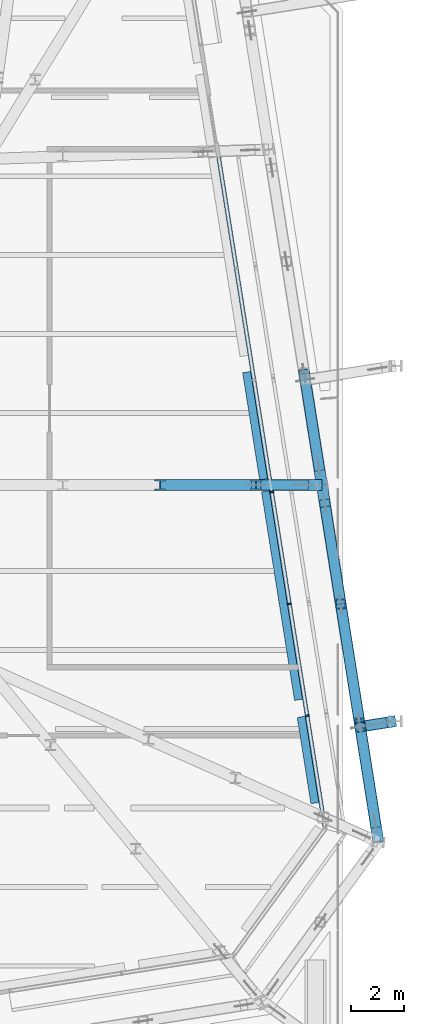
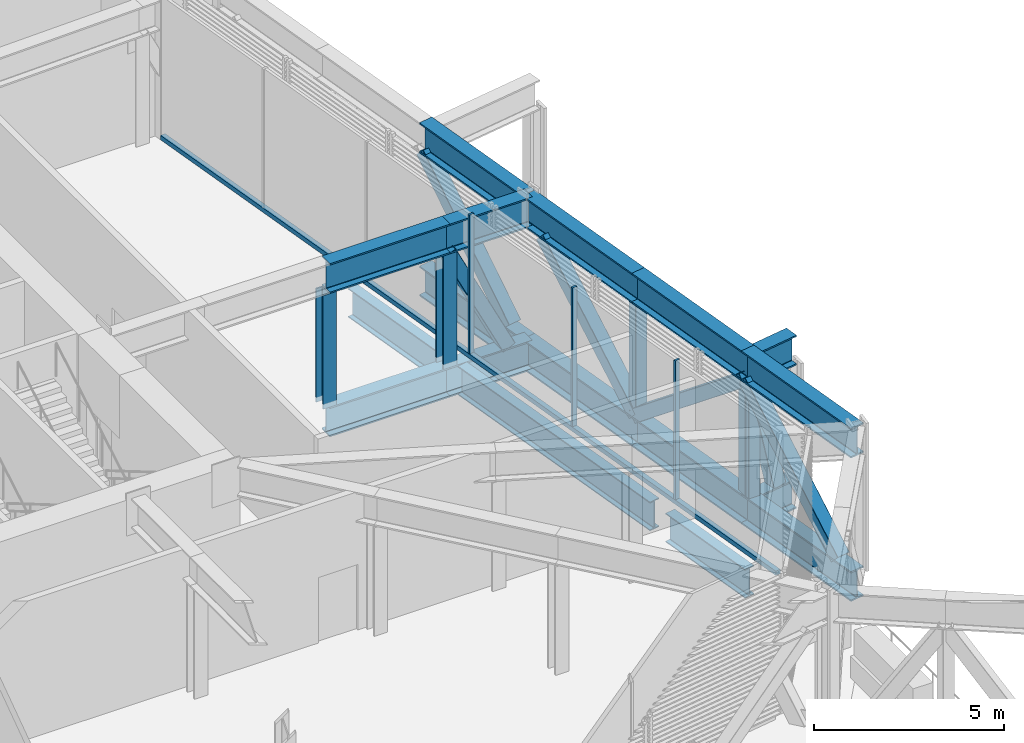
# One storey, part 9 of 32: 17 beams, 15 members, 1 element without a shape of its own.
"""IFC4 building model written with IfcOpenShell, lengths in metres."""

from ifc_helpers import new_model, si_unit, direction, frame, origin, origin_2d, place, context, subcontext, project, spatial, rectangle, hollow_rectangle, i_section, extrude, material, layer, layer_set, material_profile, profile_set, type_object, element, aggregate, save


model = new_model("IFC4")

# Units and contexts
model_context = context("Model", 3, precision=1e-05, world=origin(), true_north=direction((0.0, 1.0)))
body_context = subcontext(model_context, "Body", "Model", "MODEL_VIEW")
ifc_project = project(units=[si_unit("LENGTHUNIT", "METRE"), si_unit("AREAUNIT", "SQUARE_METRE"), si_unit("VOLUMEUNIT", "CUBIC_METRE"), si_unit("PLANEANGLEUNIT", "RADIAN"), si_unit("MASSUNIT", "GRAM", prefix="KILO")], contexts=[model_context])

# Site, building, storey
site_placement = place(None, origin())
site = spatial("IfcSite", under=ifc_project, at=site_placement, CompositionType="ELEMENT")
building_placement = place(site_placement, origin())
building = spatial("IfcBuilding", under=site, at=building_placement, Name="Millrace Tower", CompositionType="ELEMENT")
storey_placement = place(building_placement, frame((0.0, 0.0, 124.89990234375)))
storey = spatial("IfcBuildingStorey", under=building, at=storey_placement, Name="L27", CompositionType="ELEMENT", Elevation=124.89990234375)

# Curtain wall, members
ifc_material_1 = material(Name="Aluminium and glass", Category="aluminium")
ifc_layer = layer(ifc_material_1, 0.14990234375)
ifc_layer_set = layer_set([ifc_layer], Name="Aluminium and glass")
curtain_wall_type = type_object("IfcCurtainWallType", Name="CW-5 truss and plant storey louvred infill", PredefinedType="NOTDEFINED", material=ifc_layer_set)
curtain_wall_placement = place(storey_placement, origin())
curtain_wall = element("IfcCurtainWall", 1, at=curtain_wall_placement, inside=storey, type_object=curtain_wall_type, Name="Curtain wall C-F04 L27", PredefinedType="NOTDEFINED")
ifc_material_2 = material(Name="Aluminium", Category="aluminium")
ifc_material_profile_1 = material_profile(ifc_material_2, rectangle(XDim=0.06494140625, YDim=0.14990234375, at=origin_2d()))
ifc_profile_set_1 = profile_set([ifc_material_profile_1], Name="Aluminium")
member_type_1 = type_object("IfcMemberType", Name="CW-5 truss and plant storey louvred infill mullion", PredefinedType="MULLION", material=ifc_profile_set_1)
member_1_placement = place(storey_placement, frame((26.833984375, -11.49462890625, 0.14013671875), z_axis=(0.0, 0.0, 1.0), x_axis=(-0.15643447328, 0.98768833929, 0.0)))
member_1 = element("IfcMember", 2, at=member_1_placement, type_object=member_type_1, Name="CW5 mullion C-F04.2", PredefinedType="MULLION", context=body_context, shape_type="SweptSolid", body=[
    extrude(rectangle(XDim=0.06494140625, YDim=0.14990234375, at=origin_2d()), origin(), (0.0, 0.0, 1.0), 4.4599609375),
])
member_2_placement = place(storey_placement, frame((26.161376953125, -7.24755859375, 0.14013671875), z_axis=(0.0, 0.0, 1.0), x_axis=(-0.15643447328, 0.98768833929, 0.0)))
member_2 = element("IfcMember", 3, at=member_2_placement, type_object=member_type_1, Name="CW5 mullion C-F04.3", PredefinedType="MULLION", context=body_context, shape_type="SweptSolid", body=[
    extrude(rectangle(XDim=0.06494140625, YDim=0.14990234375, at=origin_2d()), origin(), (0.0, 0.0, 1.0), 4.4599609375),
])
member_3_placement = place(storey_placement, frame((25.48876953125, -3.00048828125, 0.14013671875), z_axis=(0.0, 0.0, 1.0), x_axis=(-0.15643447328, 0.98768833929, 0.0)))
member_3 = element("IfcMember", 4, at=member_3_placement, type_object=member_type_1, Name="CW5 mullion C-F04.4", PredefinedType="MULLION", context=body_context, shape_type="SweptSolid", body=[
    extrude(rectangle(XDim=0.06494140625, YDim=0.14990234375, at=origin_2d()), origin(), (0.0, 0.0, 1.0), 4.4599609375),
])
ifc_material_3 = material(Name="Aluminium", Category="aluminium")
ifc_material_profile_2 = material_profile(ifc_material_3, rectangle(XDim=0.14990234375, YDim=0.139892578125, at=origin_2d()))
ifc_profile_set_2 = profile_set([ifc_material_profile_2], Name="Aluminium")
member_type_2 = type_object("IfcMemberType", Name="CW-5 truss and plant storey louvred infill transom", PredefinedType="USERDEFINED", material=ifc_profile_set_2)
member_4_placement = place(storey_placement, frame((27.49609375, -15.675048828125, 0.070068359375), z_axis=(-0.156430863394, 0.987688911033, 0.0), x_axis=(-0.987688911033, -0.156430863394, 0.0)))
member_4 = element("IfcMember", 5, at=member_4_placement, type_object=member_type_2, Name="CW5 transom C-F04.1", ObjectType="TRANSOM", PredefinedType="USERDEFINED", context=body_context, shape_type="SweptSolid", body=[
    extrude(rectangle(XDim=0.14990234375, YDim=0.139892578125, at=origin_2d()), origin(), (0.0, 0.0, 1.0), 25.699951171875),
])
aggregate(curtain_wall, [member_1, member_2, member_3, member_4])

# Beams
ifc_material_4 = material(Name="Steel ASTM A992 Grade 50", Category="steel")
ifc_material_profile_3 = material_profile(ifc_material_4, i_section(OverallWidth=0.307373046875, OverallDepth=0.927001953125, WebThickness=0.01953125, FlangeThickness=0.031982421875, FilletRadius=0.01904296875, at=origin_2d()))
ifc_profile_set_3 = profile_set([ifc_material_profile_3], Name="Steel ASTM A992 Grade 50")
beam_type_1 = type_object("IfcBeamType", Name="Ring beam short span W36x194", PredefinedType="SPANDREL", material=ifc_profile_set_3)
beam_1_placement = place(storey_placement, frame((25.252197265625, -2.9697265625, -0.62353515625), z_axis=(0.156448554536, -0.987686108935, 0.0), x_axis=(0.987686108935, 0.156448554536, 0.0)))
element("IfcBeam", 6, at=beam_1_placement, inside=storey, type_object=beam_type_1, Name="RNG-C-L27-S1-11-a", PredefinedType="SPANDREL", context=body_context, shape_type="SweptSolid", body=[
    extrude(i_section(OverallWidth=0.307373046875, OverallDepth=0.927001953125, WebThickness=0.01953125, FlangeThickness=0.031982421875, FilletRadius=0.01904296875, at=origin_2d()), origin(), (0.0, 0.0, 1.0), 8.022705078125),
])
beam_2_placement = place(storey_placement, frame((24.535400390625, 1.556884765625, -0.62353515625), z_axis=(0.156415028315, -0.987691418874, 0.0), x_axis=(0.987691418874, 0.156415028315, 0.0)))
element("IfcBeam", 7, at=beam_2_placement, inside=storey, type_object=beam_type_1, Name="RNG-C-L27-S1-10-b", PredefinedType="SPANDREL", context=body_context, shape_type="SweptSolid", body=[
    extrude(i_section(OverallWidth=0.307373046875, OverallDepth=0.927001953125, WebThickness=0.01953125, FlangeThickness=0.031982421875, FilletRadius=0.01904296875, at=origin_2d()), origin(), (0.0, 0.0, 1.0), 4.12841796875),
])
beam_3_placement = place(storey_placement, frame((26.609130859375, -11.537353515625, -0.62353515625), z_axis=(0.156472536365, -0.987682309938, 0.0), x_axis=(0.987682309938, 0.156472536365, 0.0)))
element("IfcBeam", 8, at=beam_3_placement, inside=storey, type_object=beam_type_1, Name="RNG-C-L27-S1-11-b", PredefinedType="SPANDREL", context=body_context, shape_type="SweptSolid", body=[
    extrude(i_section(OverallWidth=0.307373046875, OverallDepth=0.927001953125, WebThickness=0.01953125, FlangeThickness=0.031982421875, FilletRadius=0.01904296875, at=origin_2d()), origin(), (0.0, 0.0, 1.0), 3.318603515625),
])

# Members
ifc_material_5 = material(Name="Steel ASTM A992 Grade 50", Category="steel")
ifc_material_profile_4 = material_profile(ifc_material_5, i_section(OverallWidth=0.406494140625, OverallDepth=0.41650390625, WebThickness=0.030029296875, FlangeThickness=0.048095703125, FilletRadius=0.01513671875, at=origin_2d()))
ifc_profile_set_4 = profile_set([ifc_material_profile_4], Name="Steel ASTM A992 Grade 50")
member_type_3 = type_object("IfcMemberType", Name="Transfer truss Vierendeel moment post W14x257", PredefinedType="POST", material=ifc_profile_set_4)
for number, where, z_axis, x_axis, name in (
    (9, (24.89501953125, -2.7314453125, -0.159912109375), (0.0, 0.0, 1.0), (1.0, 0.0, 0.0), "TRS-L27-C07-V01"),
    (10, (21.2451171875, -2.7314453125, -0.159912109375), (0.0, 0.0, 1.0), (1.0, 0.0, 0.0), "TRS-L27-C07-V02"),
):
    element("IfcMember", number, at=place(storey_placement, frame(where, z_axis=z_axis, x_axis=x_axis)), inside=storey, type_object=member_type_3, Name=name, PredefinedType="POST", context=body_context, shape_type="SweptSolid", body=[
        extrude(i_section(OverallWidth=0.406494140625, OverallDepth=0.41650390625, WebThickness=0.030029296875, FlangeThickness=0.048095703125, FilletRadius=0.01513671875, at=origin_2d()), origin(), (0.0, 0.0, 1.0), 3.642333984375),
    ])

# Beams
ifc_material_6 = material(Name="Steel ASTM A992 Grade 50", Category="steel")
ifc_material_profile_5 = material_profile(ifc_material_6, i_section(OverallWidth=0.421630859375, OverallDepth=0.95751953125, WebThickness=0.02587890625, FlangeThickness=0.046875, FilletRadius=0.024169921875, at=origin_2d()))
ifc_profile_set_5 = profile_set([ifc_material_profile_5], Name="Steel ASTM A992 Grade 50")
beam_type_2 = type_object("IfcBeamType", Name="Transfer truss chord W36x330", PredefinedType="BEAM", material=ifc_profile_set_5)
for number, where, z_axis, x_axis, name in (
    (11, (29.542724609375, -16.291015625, -0.638671875), (-0.156417315446, 0.987691056671, 0.0), (-0.987691056671, -0.156417315446, 0.0), "TRS-L27-R06-B01"),
    (12, (29.542724609375, -16.291015625, 3.96142578125), (-0.156417315446, 0.987691056671, 0.0), (-0.987691056671, -0.156417315446, 0.0), "TRS-L27-R06-T01"),
):
    element("IfcBeam", number, at=place(storey_placement, frame(where, z_axis=z_axis, x_axis=x_axis)), inside=storey, type_object=beam_type_2, Name=name, PredefinedType="BEAM", context=body_context, shape_type="SweptSolid", body=[
        extrude(i_section(OverallWidth=0.421630859375, OverallDepth=0.95751953125, WebThickness=0.02587890625, FlangeThickness=0.046875, FilletRadius=0.024169921875, at=origin_2d()), origin(), (0.0, 0.0, 1.0), 4.576416015625),
    ])
for number, where, z_axis, x_axis, name in (
    (13, (28.826904296875, -11.77099609375, -0.638671875), (-0.156477602811, 0.987681507278, 0.0), (-0.987681507278, -0.156477602811, 0.0), "TRS-L27-R06-B02"),
    (14, (28.826904296875, -11.77099609375, 3.96142578125), (-0.156477602811, 0.987681507278, 0.0), (-0.987681507278, -0.156477602811, 0.0), "TRS-L27-R06-T02"),
    (15, (28.11083984375, -7.251220703125, -0.638671875), (-0.156425557764, 0.987689751328, 0.0), (-0.987689751328, -0.156425557764, 0.0), "TRS-L27-R06-B03"),
    (16, (28.11083984375, -7.251220703125, 3.96142578125), (-0.156425557764, 0.987689751328, 0.0), (-0.987689751328, -0.156425557764, 0.0), "TRS-L27-R06-T03"),
):
    element("IfcBeam", number, at=place(storey_placement, frame(where, z_axis=z_axis, x_axis=x_axis)), inside=storey, type_object=beam_type_2, Name=name, PredefinedType="BEAM", context=body_context, shape_type="SweptSolid", body=[
        extrude(i_section(OverallWidth=0.421630859375, OverallDepth=0.95751953125, WebThickness=0.02587890625, FlangeThickness=0.046875, FilletRadius=0.024169921875, at=origin_2d()), origin(), (0.0, 0.0, 1.0), 4.576171875),
    ])
for number, where, z_axis, x_axis, name in (
    (17, (27.39501953125, -2.7314453125, -0.638671875), (-0.15642030113, 0.987690583834, 0.0), (-0.987690583834, -0.15642030113, 0.0), "TRS-L27-R07-B01"),
    (18, (27.39501953125, -2.7314453125, 3.96142578125), (-0.15642030113, 0.987690583834, 0.0), (-0.987690583834, -0.15642030113, 0.0), "TRS-L27-R07-T01"),
):
    element("IfcBeam", number, at=place(storey_placement, frame(where, z_axis=z_axis, x_axis=x_axis)), inside=storey, type_object=beam_type_2, Name=name, PredefinedType="BEAM", context=body_context, shape_type="SweptSolid", body=[
        extrude(i_section(OverallWidth=0.421630859375, OverallDepth=0.95751953125, WebThickness=0.02587890625, FlangeThickness=0.046875, FilletRadius=0.024169921875, at=origin_2d()), origin(), (0.0, 0.0, 1.0), 4.300048828125),
    ])
for number, where, z_axis, x_axis, name in (
    (19, (27.39501953125, -2.7314453125, -0.638671875), (-1.0, 0.0, 0.0), (0.0, -1.0, 0.0), "TRS-L27-C07-B01"),
    (20, (27.39501953125, -2.7314453125, 3.96142578125), (-1.0, 0.0, 0.0), (0.0, -1.0, 0.0), "TRS-L27-C07-T01"),
):
    element("IfcBeam", number, at=place(storey_placement, frame(where, z_axis=z_axis, x_axis=x_axis)), inside=storey, type_object=beam_type_2, Name=name, PredefinedType="BEAM", context=body_context, shape_type="SweptSolid", body=[
        extrude(i_section(OverallWidth=0.421630859375, OverallDepth=0.95751953125, WebThickness=0.02587890625, FlangeThickness=0.046875, FilletRadius=0.024169921875, at=origin_2d()), origin(), (0.0, 0.0, 1.0), 2.5),
    ])
for number, where, z_axis, x_axis, name in (
    (21, (24.89501953125, -2.7314453125, -0.638671875), (-1.0, 0.0, 0.0), (0.0, -1.0, 0.0), "TRS-L27-C07-B02"),
    (22, (24.89501953125, -2.7314453125, 3.96142578125), (-1.0, 0.0, 0.0), (0.0, -1.0, 0.0), "TRS-L27-C07-T02"),
):
    element("IfcBeam", number, at=place(storey_placement, frame(where, z_axis=z_axis, x_axis=x_axis)), inside=storey, type_object=beam_type_2, Name=name, PredefinedType="BEAM", context=body_context, shape_type="SweptSolid", body=[
        extrude(i_section(OverallWidth=0.421630859375, OverallDepth=0.95751953125, WebThickness=0.02587890625, FlangeThickness=0.046875, FilletRadius=0.024169921875, at=origin_2d()), origin(), (0.0, 0.0, 1.0), 3.64990234375),
    ])
for number, where, z_axis, x_axis, name in (
    (23, (30.199951171875, -11.699951171875, -0.638671875), (-0.987690975644, -0.15641782709, 0.0), (0.15641782709, -0.987690975644, 0.0), "TRS-L27-B-B-X07-B01"),
    (24, (30.199951171875, -11.699951171875, 3.96142578125), (-0.987690975644, -0.15641782709, 0.0), (0.15641782709, -0.987690975644, 0.0), "TRS-L27-B-B-X07-T01"),
):
    element("IfcBeam", number, at=place(storey_placement, frame(where, z_axis=z_axis, x_axis=x_axis)), inside=storey, type_object=beam_type_2, Name=name, PredefinedType="BEAM", context=body_context, shape_type="SweptSolid", body=[
        extrude(i_section(OverallWidth=0.421630859375, OverallDepth=0.95751953125, WebThickness=0.02587890625, FlangeThickness=0.046875, FilletRadius=0.024169921875, at=origin_2d()), origin(), (0.0, 0.0, 1.0), 1.156494140625),
    ])

# Members
ifc_material_7 = material(Name="Steel ASTM A500 Grade C", Category="steel")
ifc_material_profile_6 = material_profile(ifc_material_7, hollow_rectangle(XDim=0.406494140625, YDim=0.406494140625, WallThickness=0.0126953125, InnerFilletRadius=0.00634765625, OuterFilletRadius=0.01904296875, at=origin_2d()))
ifc_profile_set_6 = profile_set([ifc_material_profile_6], Name="Steel ASTM A500 Grade C")
member_type_4 = type_object("IfcMemberType", Name="Transfer truss diagonal HSS16x16x1/2", PredefinedType="BRACE", material=ifc_profile_set_6)
member_5_placement = place(storey_placement, frame((29.43310546875, -15.599609375, -0.159912109375), z_axis=(-0.113967812282, 0.719791877649, 0.684770757725), x_axis=(-0.987695976535, -0.156386245998, 0.0)))
element("IfcMember", 25, at=member_5_placement, inside=storey, type_object=member_type_4, Name="TRS-L27-R06-D01", PredefinedType="BRACE", context=body_context, shape_type="SweptSolid", body=[
    extrude(hollow_rectangle(XDim=0.406494140625, YDim=0.406494140625, WallThickness=0.0126953125, InnerFilletRadius=0.00634765625, OuterFilletRadius=0.01904296875, at=origin_2d()), origin(), (0.0, 0.0, 1.0), 5.319091796875),
])
member_6_placement = place(storey_placement, frame((28.11083984375, -7.251220703125, -0.159912109375), z_axis=(0.12243062994, -0.772778128906, 0.622755734086), x_axis=(0.987681507278, 0.156477602811, 0.0)))
element("IfcMember", 26, at=member_6_placement, inside=storey, type_object=member_type_4, Name="TRS-L27-R06-D02", PredefinedType="BRACE", context=body_context, shape_type="SweptSolid", body=[
    extrude(hollow_rectangle(XDim=0.406494140625, YDim=0.406494140625, WallThickness=0.0126953125, InnerFilletRadius=0.00634765625, OuterFilletRadius=0.01904296875, at=origin_2d()), origin(), (0.0, 0.0, 1.0), 5.8486328125),
])
member_7_placement = place(storey_placement, frame((28.11083984375, -7.251220703125, -0.159912109375), z_axis=(-0.113971577605, 0.719769757725, 0.684793381512), x_axis=(-0.987694436043, -0.156395975046, 0.0)))
element("IfcMember", 27, at=member_7_placement, inside=storey, type_object=member_type_4, Name="TRS-L27-R06-D03", PredefinedType="BRACE", context=body_context, shape_type="SweptSolid", body=[
    extrude(hollow_rectangle(XDim=0.406494140625, YDim=0.406494140625, WallThickness=0.0126953125, InnerFilletRadius=0.00634765625, OuterFilletRadius=0.01904296875, at=origin_2d()), origin(), (0.0, 0.0, 1.0), 5.31884765625),
])
member_8_placement = place(storey_placement, frame((27.28564453125, -2.0400390625, -0.159912109375), z_axis=(-0.109980796619, 0.694304430848, 0.711228220531), x_axis=(-0.987685312069, -0.156453585206, 0.0)))
element("IfcMember", 28, at=member_8_placement, inside=storey, type_object=member_type_4, Name="TRS-L27-R07-D01", PredefinedType="BRACE", context=body_context, shape_type="SweptSolid", body=[
    extrude(hollow_rectangle(XDim=0.406494140625, YDim=0.406494140625, WallThickness=0.0126953125, InnerFilletRadius=0.00634765625, OuterFilletRadius=0.01904296875, at=origin_2d()), origin(), (0.0, 0.0, 1.0), 5.12109375),
])
member_9_placement = place(storey_placement, frame((26.695068359375, -2.7314453125, -0.159912109375), z_axis=(-0.443050469624, 0.0, 0.896496671141), x_axis=(0.0, -1.0, 0.0)))
element("IfcMember", 29, at=member_9_placement, inside=storey, type_object=member_type_4, Name="TRS-L27-C07-D01", PredefinedType="BRACE", context=body_context, shape_type="SweptSolid", body=[
    extrude(hollow_rectangle(XDim=0.406494140625, YDim=0.406494140625, WallThickness=0.0126953125, InnerFilletRadius=0.00634765625, OuterFilletRadius=0.01904296875, at=origin_2d()), origin(), (0.0, 0.0, 1.0), 4.062744140625),
])
member_10_placement = place(storey_placement, frame((29.65966796875, -11.78564453125, -0.159912109375), z_axis=(-0.217031064618, -0.034330011728, 0.975560847557), x_axis=(0.156237642193, -0.987719494169, 0.0)))
element("IfcMember", 30, at=member_10_placement, inside=storey, type_object=member_type_4, Name="TRS-L27-B-B-X07-D01", PredefinedType="BRACE", context=body_context, shape_type="SweptSolid", body=[
    extrude(hollow_rectangle(XDim=0.406494140625, YDim=0.406494140625, WallThickness=0.0126953125, InnerFilletRadius=0.00634765625, OuterFilletRadius=0.01904296875, at=origin_2d()), origin(), (0.0, 0.0, 1.0), 3.733642578125),
])
ifc_material_8 = material(Name="Steel ASTM A500 Grade C", Category="steel")
ifc_material_profile_7 = material_profile(ifc_material_8, hollow_rectangle(XDim=0.355712890625, YDim=0.355712890625, WallThickness=0.015869140625, InnerFilletRadius=0.008056640625, OuterFilletRadius=0.02392578125, at=origin_2d()))
ifc_profile_set_7 = profile_set([ifc_material_profile_7], Name="Steel ASTM A500 Grade C")
member_type_5 = type_object("IfcMemberType", Name="Transfer truss post HSS14x14x5/8", PredefinedType="POST", material=ifc_profile_set_7)
for number, where, z_axis, x_axis, name in (
    (31, (28.826904296875, -11.77099609375, -0.159912109375), (0.0, 0.0, 1.0), (1.0, 0.0, 0.0), "TRS-L27-R06-V01"),
    (32, (28.11083984375, -7.251220703125, -0.159912109375), (0.0, 0.0, 1.0), (1.0, 0.0, 0.0), "TRS-L27-R06-V02"),
    (33, (28.849365234375, -11.913818359375, -0.159912109375), (0.0, 0.0, 1.0), (1.0, 0.0, 0.0), "TRS-L27-B-B-X07-V01"),
):
    element("IfcMember", number, at=place(storey_placement, frame(where, z_axis=z_axis, x_axis=x_axis)), inside=storey, type_object=member_type_5, Name=name, PredefinedType="POST", context=body_context, shape_type="SweptSolid", body=[
        extrude(hollow_rectangle(XDim=0.355712890625, YDim=0.355712890625, WallThickness=0.015869140625, InnerFilletRadius=0.008056640625, OuterFilletRadius=0.02392578125, at=origin_2d()), origin(), (0.0, 0.0, 1.0), 3.642333984375),
    ])

save(model, "model.ifc")
